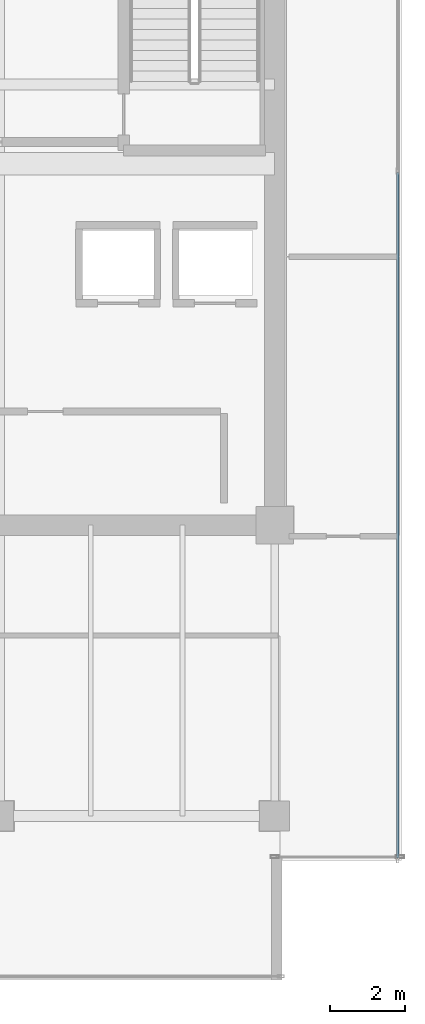
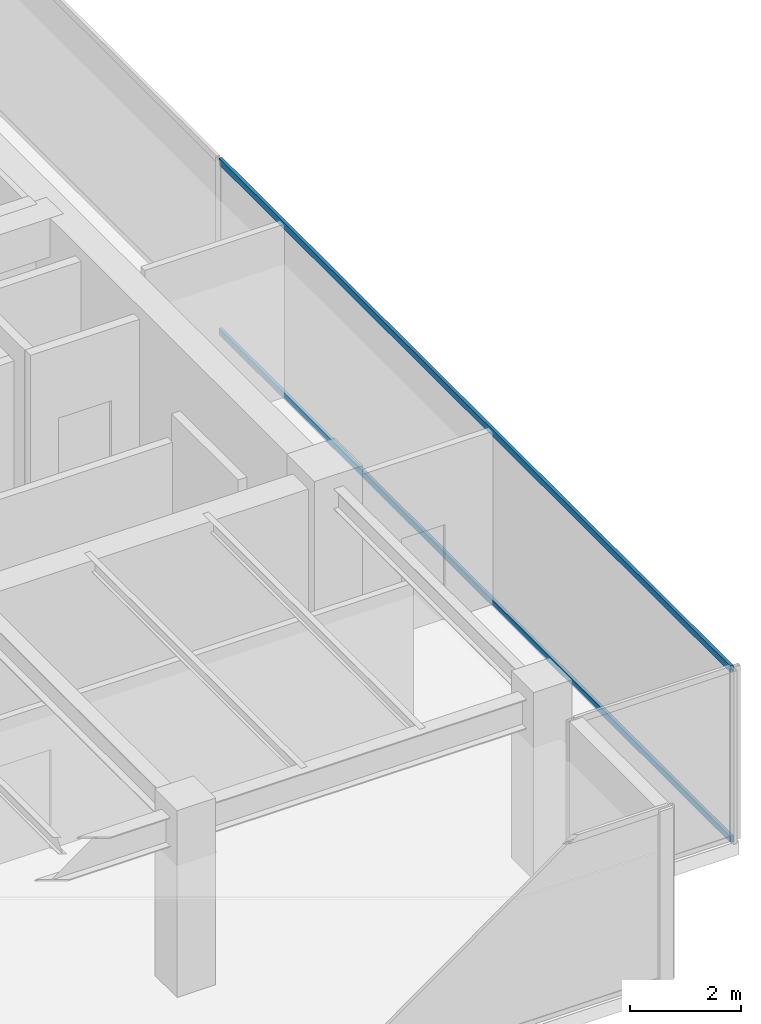
# One storey, part 23 of 36: 2 members, 1 element without a shape of its own.
"""IFC4 building model written with IfcOpenShell, lengths in metres."""

from ifc_helpers import new_model, si_unit, direction, frame, origin, origin_2d, place, context, subcontext, project, spatial, hollow_rectangle, extrude, source, transform, mapped, material, layer, layer_set, material_profile, profile_set, type_object, type_shapes, element, aggregate, save


model = new_model("IFC4")

# Units and contexts
model_context = context("Model", 3, precision=1e-05, world=origin(), true_north=direction((0.0, 1.0)))
body_context = subcontext(model_context, "Body", "Model", "MODEL_VIEW")
ifc_project = project(units=[si_unit("LENGTHUNIT", "METRE"), si_unit("AREAUNIT", "SQUARE_METRE"), si_unit("VOLUMEUNIT", "CUBIC_METRE"), si_unit("PLANEANGLEUNIT", "RADIAN"), si_unit("MASSUNIT", "GRAM", prefix="KILO")], contexts=[model_context])

# Site, building, storey
site_placement = place(None, origin())
site = spatial("IfcSite", under=ifc_project, at=site_placement, CompositionType="ELEMENT")
building_placement = place(site_placement, origin())
building = spatial("IfcBuilding", under=site, at=building_placement, Name="Haelvirn Gate Laboratories", CompositionType="ELEMENT")
storey_placement = place(building_placement, frame((0.0, 0.0, 262.89990234375)))
storey = spatial("IfcBuildingStorey", under=building, at=storey_placement, Name="L63", CompositionType="ELEMENT", Elevation=262.89990234375)

# Curtain wall, members
ifc_material_1 = material(Name="Anodised bronze unitised aluminium & triple low-E glass", Category="aluminium")
ifc_layer = layer(ifc_material_1, 0.176025390625, Name="CW-SYS-4")
ifc_layer_set = layer_set([ifc_layer], Name="Anodised bronze unitised aluminium & triple low-E glass")
curtain_wall_type = type_object("IfcCurtainWallType", Name="CW-SYS-4", PredefinedType="NOTDEFINED", material=ifc_layer_set)
curtain_wall_placement = place(storey_placement, origin())
curtain_wall = element("IfcCurtainWall", 1, at=curtain_wall_placement, inside=storey, type_object=curtain_wall_type, Name="L63 Unitised Curtain Wall CW-L63-P0-E07", PredefinedType="NOTDEFINED")
ifc_material_2 = material(Name="Extruded aluminium 6063-T6 (anodised bronze)", Category="aluminium")
ifc_material_profile = material_profile(ifc_material_2, hollow_rectangle(XDim=0.06494140625, YDim=0.139892578125, WallThickness=0.00390625, at=origin_2d()), Name="CWT-140x65x4")
ifc_profile_set = profile_set([ifc_material_profile], Name="Extruded aluminium 6063-T6 (anodised bronze)")
member_type = type_object("IfcMemberType", Name="CWT-T140", PredefinedType="USERDEFINED", material=ifc_profile_set)
shared_shape = source(origin(), body_context, "Body", "SweptSolid", [
    extrude(hollow_rectangle(XDim=0.06494140625, YDim=0.139892578125, WallThickness=0.00390625, at=origin_2d()), origin(), (0.0, 0.0, 1.0), 18.394775390625),
])
type_shapes(member_type, [shared_shape])
member_1_placement = place(storey_placement, frame((70.699951171875, 5.8701171875, 0.03271484375), z_axis=(0.0, 1.0, 0.0), x_axis=(-1.0, 0.0, 0.0)))
member_1 = element("IfcMember", 2, at=member_1_placement, type_object=member_type, Name="CW4 transom 1.1", ObjectType="TRANSOM", PredefinedType="USERDEFINED", context=body_context, shape_type="MappedRepresentation", body=[
    mapped(shared_shape, transform((0.0, 0.0, 0.0), scale=1.0)),
])
member_2_placement = place(storey_placement, frame((70.699951171875, 5.8701171875, 3.767578125), z_axis=(0.0, 1.0, 0.0), x_axis=(-1.0, 0.0, 0.0)))
member_2 = element("IfcMember", 3, at=member_2_placement, type_object=member_type, Name="CW4 transom 1.2", ObjectType="TRANSOM", PredefinedType="USERDEFINED", context=body_context, shape_type="MappedRepresentation", body=[
    mapped(shared_shape, transform((0.0, 0.0, 0.0), scale=1.0)),
])
aggregate(curtain_wall, [member_1, member_2])

save(model, "model.ifc")
